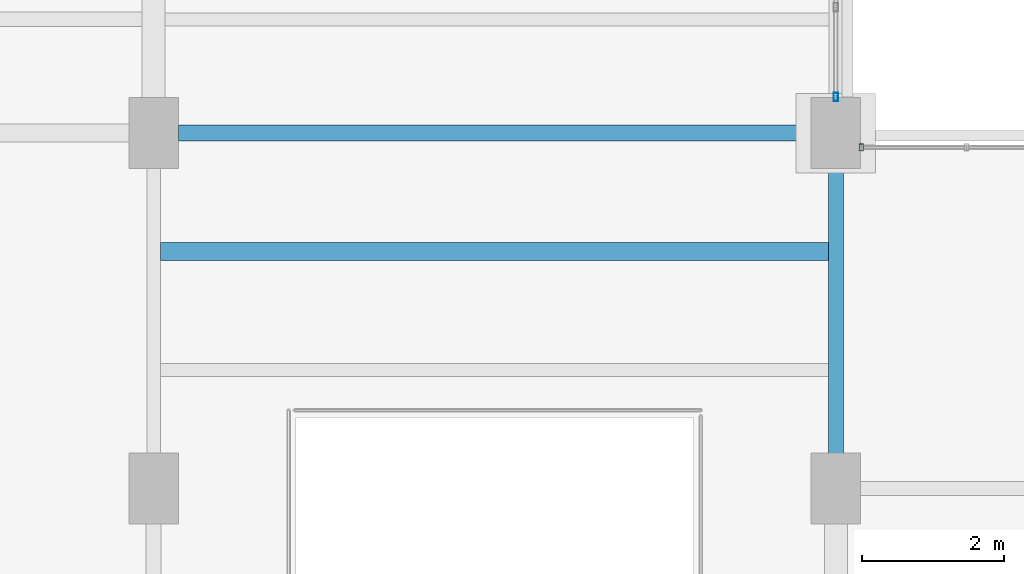
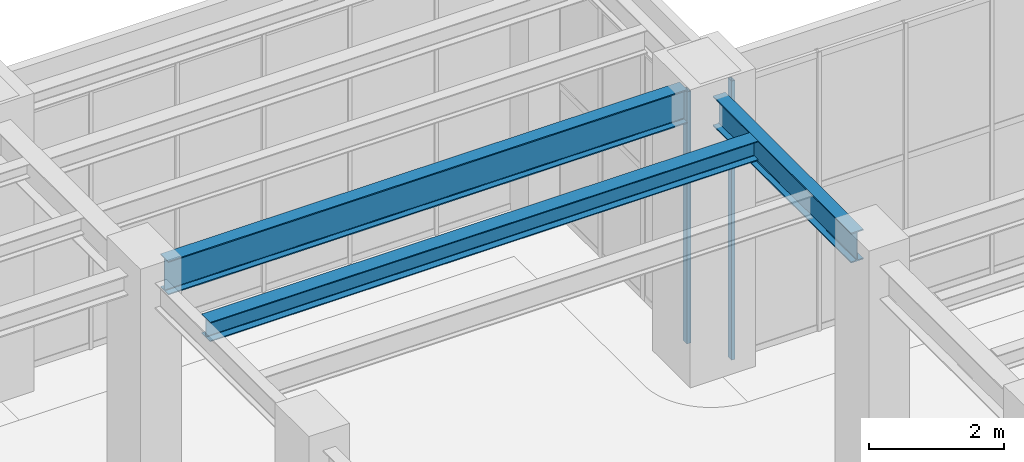
# One storey, part 87 of 164: 3 beams, 2 members, 2 elements without a shape of their own.
"""IFC4 building model written with IfcOpenShell, lengths in metres."""

from ifc_helpers import new_model, si_unit, direction, frame, origin, origin_2d, place, context, subcontext, project, spatial, hollow_rectangle, i_section, extrude, material, material_profile, profile_set, type_object, element, aggregate, save


model = new_model("IFC4")

# Units and contexts
model_context = context("Model", 3, precision=1e-05, world=origin(), true_north=direction((0.0, 1.0)))
body_context = subcontext(model_context, "Body", "Model", "MODEL_VIEW")
ifc_project = project(units=[si_unit("LENGTHUNIT", "METRE"), si_unit("AREAUNIT", "SQUARE_METRE"), si_unit("VOLUMEUNIT", "CUBIC_METRE"), si_unit("PLANEANGLEUNIT", "RADIAN"), si_unit("MASSUNIT", "GRAM", prefix="KILO")], contexts=[model_context])

# Site, building, storey
site_placement = place(None, origin())
site = spatial("IfcSite", under=ifc_project, at=site_placement, CompositionType="ELEMENT")
building_placement = place(site_placement, origin())
building = spatial("IfcBuilding", under=site, at=building_placement, Name="Mavantir Sound Aquarium", CompositionType="ELEMENT")
storey_placement = place(building_placement, origin())
storey = spatial("IfcBuildingStorey", under=building, at=storey_placement, Name="L00", CompositionType="ELEMENT", Elevation=0.0)

# Beams
ifc_material_1 = material(Name="Structural Steel ASTM A992 Gr50", Category="steel")
ifc_material_profile_1 = material_profile(ifc_material_1, i_section(OverallWidth=0.25390625, OverallDepth=0.35302734375, WebThickness=0.009521484375, FlangeThickness=0.016357421875, FilletRadius=0.014892578125, at=origin_2d()), Name="W360X91")
ifc_profile_set_1 = profile_set([ifc_material_profile_1], Name="Structural Steel ASTM A992 Gr50")
beam_type_1 = type_object("IfcBeamType", Name="BM-W360X91-I", PredefinedType="JOIST", material=ifc_profile_set_1)
beam_1_placement = place(storey_placement, frame((108.096923828125, 89.13330078125, 4.889404296875), z_axis=(1.0, 0.0, 0.0), x_axis=(0.0, 1.0, 0.0)))
element("IfcBeam", 1, at=beam_1_placement, inside=storey, type_object=beam_type_1, Name="L00 secondary floor joist SJ-36 570", PredefinedType="JOIST", context=body_context, shape_type="SweptSolid", body=[
    extrude(i_section(OverallWidth=0.25390625, OverallDepth=0.35302734375, WebThickness=0.009521484375, FlangeThickness=0.016357421875, FilletRadius=0.014892578125, at=origin_2d()), origin(), (0.0, 0.0, 1.0), 9.39697265625),
])
ifc_material_profile_2 = material_profile(ifc_material_1, i_section(OverallWidth=0.2119140625, OverallDepth=0.5439453125, WebThickness=0.01318359375, FlangeThickness=0.021240234375, FilletRadius=0.01806640625, at=origin_2d()), Name="W530X123")
ifc_profile_set_2 = profile_set([ifc_material_profile_2], Name="Structural Steel ASTM A992 Gr50")
beam_type_2 = type_object("IfcBeamType", Name="BM-W530X123-I", PredefinedType="BEAM", material=ifc_profile_set_2)
beam_2_placement = place(storey_placement, frame((117.60009765625, 86.25, 4.7939453125), z_axis=(0.0, 1.0, 0.0), x_axis=(-1.0, 0.0, 0.0)))
element("IfcBeam", 2, at=beam_2_placement, inside=storey, type_object=beam_type_2, Name="L00 primary girder SB-53 983", PredefinedType="BEAM", context=body_context, shape_type="SweptSolid", body=[
    extrude(i_section(OverallWidth=0.2119140625, OverallDepth=0.5439453125, WebThickness=0.01318359375, FlangeThickness=0.021240234375, FilletRadius=0.01806640625, at=origin_2d()), origin(), (0.0, 0.0, 1.0), 4.10009765625),
])
ifc_material_profile_3 = material_profile(ifc_material_1, i_section(OverallWidth=0.22900390625, OverallDepth=0.612060546875, WebThickness=0.011962890625, FlangeThickness=0.01953125, FilletRadius=0.01904296875, at=origin_2d()), Name="W610X125")
ifc_profile_set_3 = profile_set([ifc_material_profile_3], Name="Structural Steel ASTM A992 Gr50")
beam_type_3 = type_object("IfcBeamType", Name="BM-W610X125-I", PredefinedType="BEAM", material=ifc_profile_set_3)
beam_3_placement = place(storey_placement, frame((108.35009765625, 90.800048828125, 4.760009765625), z_axis=(1.0, 0.0, 0.0), x_axis=(0.0, 1.0, 0.0)))
element("IfcBeam", 3, at=beam_3_placement, inside=storey, type_object=beam_type_3, Name="L00 primary beam SB-61B 953", PredefinedType="BEAM", context=body_context, shape_type="SweptSolid", body=[
    extrude(i_section(OverallWidth=0.22900390625, OverallDepth=0.612060546875, WebThickness=0.011962890625, FlangeThickness=0.01953125, FilletRadius=0.01904296875, at=origin_2d()), origin(), (0.0, 0.0, 1.0), 8.89990234375),
])

# Curtain wall, member
ifc_material_2 = material(Name="Anodised Marine Aluminium and Low-E Glass", Category="aluminium")
curtain_wall_type_1 = type_object("IfcCurtainWallType", Name="CW-T17", PredefinedType="USERDEFINED", material=ifc_material_2)
curtain_wall_1_placement = place(storey_placement, origin())
curtain_wall_1 = element("IfcCurtainWall", 4, at=curtain_wall_1_placement, inside=storey, type_object=curtain_wall_type_1, Name="L00 unitised curtain wall CW-17 17", ObjectType="UNITISED GLAZING", PredefinedType="USERDEFINED")
ifc_material_3 = material(Name="Anodised Marine Aluminium 6063-T6", Category="aluminium")
ifc_material_profile_4 = material_profile(ifc_material_3, hollow_rectangle(XDim=0.06005859375, YDim=0.10009765625, WallThickness=0.00390625, at=origin_2d()), Name="ALU-MULLION-100X60")
ifc_profile_set_4 = profile_set([ifc_material_profile_4], Name="Anodised Marine Aluminium 6063-T6")
member_type_1 = type_object("IfcMemberType", Name="CW-MUL-100", PredefinedType="MULLION", material=ifc_profile_set_4)
member_1_placement = place(storey_placement, frame((117.9580078125, 90.60009765625, 0.0), z_axis=(0.0, 0.0, 1.0), x_axis=(1.0, 0.0, 0.0)))
member_1 = element("IfcMember", 5, at=member_1_placement, type_object=member_type_1, Name="CW-L00-017 vertical mullion 7", PredefinedType="MULLION", context=body_context, shape_type="SweptSolid", body=[
    extrude(hollow_rectangle(XDim=0.06005859375, YDim=0.10009765625, WallThickness=0.00390625, at=origin_2d()), origin(), (0.0, 0.0, 1.0), 5.06005859375),
])
aggregate(curtain_wall_1, [member_1])

curtain_wall_type_2 = type_object("IfcCurtainWallType", Name="CW-T18", PredefinedType="USERDEFINED", material=ifc_material_2)
curtain_wall_2_placement = place(storey_placement, origin())
curtain_wall_2 = element("IfcCurtainWall", 6, at=curtain_wall_2_placement, inside=storey, type_object=curtain_wall_type_2, Name="L00 unitised curtain wall CW-18 18", ObjectType="UNITISED GLAZING", PredefinedType="USERDEFINED")
ifc_material_profile_5 = material_profile(ifc_material_3, hollow_rectangle(XDim=0.06494140625, YDim=0.1201171875, WallThickness=0.00390625, at=origin_2d()), Name="ALU-MULLION-120X65")
ifc_profile_set_5 = profile_set([ifc_material_profile_5], Name="Anodised Marine Aluminium 6063-T6")
member_type_2 = type_object("IfcMemberType", Name="CW-MUL-120", PredefinedType="MULLION", material=ifc_profile_set_5)
member_2_placement = place(storey_placement, frame((117.60009765625, 91.30810546875, 0.0), z_axis=(0.0, 0.0, 1.0), x_axis=(1.0, 0.0, 0.0)))
member_2 = element("IfcMember", 7, at=member_2_placement, type_object=member_type_2, Name="CW-L00-018 vertical mullion 1", PredefinedType="MULLION", context=body_context, shape_type="SweptSolid", body=[
    extrude(hollow_rectangle(XDim=0.06494140625, YDim=0.1201171875, WallThickness=0.00390625, at=origin_2d()), origin(), (0.0, 0.0, 1.0), 4.56689453125),
])
aggregate(curtain_wall_2, [member_2])

save(model, "model.ifc")
